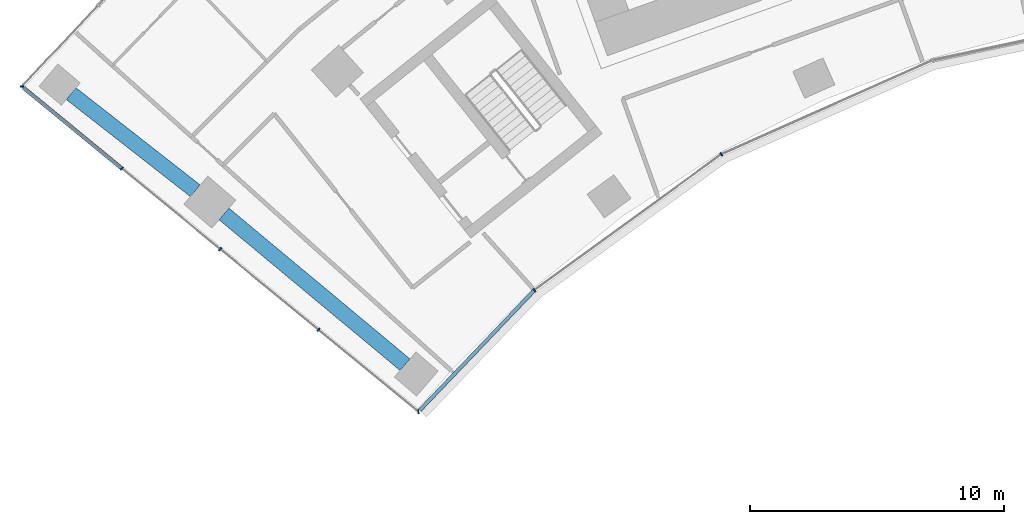
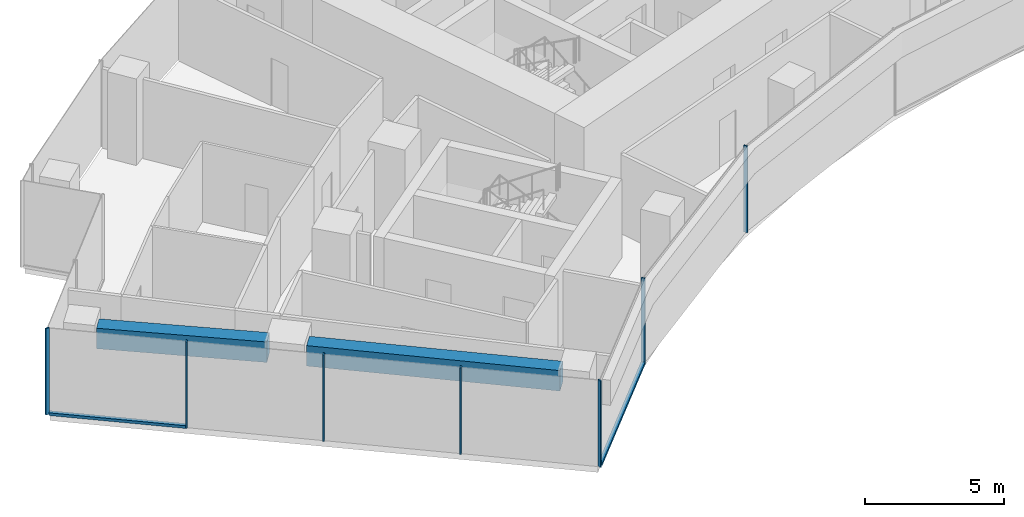
# One storey, part 2 of 20: 9 members, 2 beams, 2 elements without a shape of their own.
"""IFC4 building model written with IfcOpenShell, lengths in metres."""

import ifcopenshell
import ifcopenshell.guid

model = None  # the IFC model being written
_history = None  # IfcOwnerHistory: only IFC2X3 demands one
_inside = {}  # id of a spatial element -> (the spatial element, [elements in it])
_under = {}  # id of a project, library or spatial element -> (it, [spatial elements below it])
_declared = {}  # id of a project -> (the project, [libraries it declares])
_typed = {}  # id of a type object -> (the type object, [elements of that type])
_made_of = {}  # id of a material, layer set ... -> (it, [elements and type objects made of it])


def new_model(schema):
    """Start an empty IFC model of exactly this schema.

    Asked for "IFC4X3", IfcOpenShell would pick the latest addendum, in which some entities
    have other attributes; the version numbers below select the first issue.
    IFC2X3 requires an IfcOwnerHistory on every rooted entity: one is made here for all.
    """
    global model, _history
    if schema == "IFC4X3":
        model = ifcopenshell.file(schema_version=(4, 3, 0, 0))
    else:
        model = ifcopenshell.file(schema=schema)
    _inside.clear()
    _under.clear()
    _declared.clear()
    _typed.clear()
    _made_of.clear()
    _history = None
    if model.schema == "IFC2X3":
        org = make("IfcOrganization", Name="unknown")
        user = make(
            "IfcPersonAndOrganization",
            ThePerson=make("IfcPerson", FamilyName="unknown"),
            TheOrganization=org,
        )
        app = make(
            "IfcApplication",
            ApplicationDeveloper=org,
            Version="unknown",
            ApplicationFullName="unknown",
            ApplicationIdentifier="unknown",
        )
        _history = make(
            "IfcOwnerHistory",
            OwningUser=user,
            OwningApplication=app,
            ChangeAction="ADDED",
            CreationDate=0,
        )
    return model


def make(cls, **values):
    """One entity of the class cls with the attributes given. An attribute that is None is left unset."""
    return model.create_entity(
        cls, **{name: value for name, value in values.items() if value is not None}
    )


def rooted(cls, **values):
    """An entity with a GlobalId (a new one), such as an element, a storey or a relation."""
    return make(cls, GlobalId=ifcopenshell.guid.new(), OwnerHistory=_history, **values)


def si_unit(unit_type, name, prefix=None):
    """IfcSIUnit, for example si_unit("LENGTHUNIT", "METRE", prefix="MILLI")."""
    return make("IfcSIUnit", UnitType=unit_type, Prefix=prefix, Name=name)


def assignment(units):
    """IfcUnitAssignment: the units of a project."""
    return None if units is None else make("IfcUnitAssignment", Units=units)


def point(xyz):
    """IfcCartesianPoint."""
    return None if xyz is None else make("IfcCartesianPoint", Coordinates=xyz)


def direction(xyz):
    """IfcDirection."""
    return None if xyz is None else make("IfcDirection", DirectionRatios=xyz)


def frame(location, z_axis=None, x_axis=None):
    """IfcAxis2Placement3D, a coordinate frame: its origin and axes. An axis left out is left unset."""
    return make(
        "IfcAxis2Placement3D",
        Location=point(location),
        Axis=direction(z_axis),
        RefDirection=direction(x_axis),
    )


def frame_2d(location, x_axis=None):
    """IfcAxis2Placement2D, a coordinate frame in the plane: its origin and x axis."""
    return make(
        "IfcAxis2Placement2D", Location=point(location), RefDirection=direction(x_axis)
    )


def origin():
    """The frame at (0, 0, 0) with its axes left unset."""
    return frame((0.0, 0.0, 0.0))


def origin_2d():
    """The frame at (0, 0) in the plane with its x axis left unset."""
    return frame_2d((0.0, 0.0))


def place(relative_to, where):
    """IfcLocalPlacement: puts the frame where relative to a parent placement (None: the world)."""
    return make(
        "IfcLocalPlacement", PlacementRelTo=relative_to, RelativePlacement=where
    )


def context(
    kind, dimensions, precision=None, world=None, true_north=None, identifier=None
):
    """IfcGeometricRepresentationContext, for example the 3D "Model" context."""
    return make(
        "IfcGeometricRepresentationContext",
        ContextIdentifier=identifier,
        ContextType=kind,
        CoordinateSpaceDimension=dimensions,
        Precision=precision,
        WorldCoordinateSystem=world,
        TrueNorth=true_north,
    )


def subcontext(parent, identifier, kind, view, scale=None):
    """IfcGeometricRepresentationSubContext, for example "Body" below "Model"."""
    return make(
        "IfcGeometricRepresentationSubContext",
        ContextIdentifier=identifier,
        ContextType=kind,
        ParentContext=parent,
        TargetScale=scale,
        TargetView=view,
    )


def project(units=None, contexts=None):
    """IfcProject with its units and contexts."""
    return rooted(
        "IfcProject",
        Name="project",
        RepresentationContexts=contexts,
        UnitsInContext=assignment(units),
    )


def spatial(cls, under=None, at=None, **own):
    """A site, building, storey or space (cls), placed at a placement, below another one or the project."""
    s = rooted(cls, ObjectPlacement=at, **own)
    if under is not None:
        _under.setdefault(under.id(), (under, []))[1].append(s)
    return s


def profile(cls, at=None, kind="AREA", **sizes):
    """A parametric profile (cls). Its sizes go by their IFC names, for example OverallWidth=200.0."""
    return make(cls, ProfileType=kind, Position=at, **sizes)


def rectangle(**sizes):
    """IfcRectangleProfileDef."""
    return profile("IfcRectangleProfileDef", **sizes)


def extrude(swept, where, along, depth):
    """IfcExtrudedAreaSolid: the profile swept, set in the frame where, extruded along a direction by depth."""
    return make(
        "IfcExtrudedAreaSolid",
        SweptArea=swept,
        Position=where,
        ExtrudedDirection=direction(along),
        Depth=depth,
    )


def shape(context_of_items, identifier, shape_type, items):
    """IfcShapeRepresentation: the items that make up one representation, for example the "Body"."""
    return make(
        "IfcShapeRepresentation",
        ContextOfItems=context_of_items,
        RepresentationIdentifier=identifier,
        RepresentationType=shape_type,
        Items=items,
    )


def material(Name=None, Category=None):
    """IfcMaterial."""
    return make("IfcMaterial", Name=Name, Category=Category)


def layer(
    of_material, thickness, ventilated=None, Name=None, Category=None, Priority=None
):
    """IfcMaterialLayer: one layer of a wall or slab, of a material (None: an air gap)."""
    return make(
        "IfcMaterialLayer",
        Material=of_material,
        LayerThickness=thickness,
        IsVentilated=ventilated,
        Name=Name,
        Category=Category,
        Priority=Priority,
    )


def layer_set(layers, Name=None):
    """IfcMaterialLayerSet."""
    return make("IfcMaterialLayerSet", MaterialLayers=layers, LayerSetName=Name)


def material_profile(
    of_material, cross_section, Name=None, Category=None, Priority=None
):
    """IfcMaterialProfile: a cross section and its material."""
    return make(
        "IfcMaterialProfile",
        Name=Name,
        Material=of_material,
        Profile=cross_section,
        Priority=Priority,
        Category=Category,
    )


def profile_set(profiles, Name=None, composite=None):
    """IfcMaterialProfileSet."""
    return make(
        "IfcMaterialProfileSet",
        Name=Name,
        MaterialProfiles=profiles,
        CompositeProfile=composite,
    )


def made_of(thing, what):
    """Note that an element or type object is made of a material, layer set ...; save() writes the relation."""
    if what is not None:
        _made_of.setdefault(what.id(), (what, []))[1].append(thing)
    return thing


def type_object(cls, material=None, **own):
    """A type object (cls), such as IfcWallType, which elements share."""
    return made_of(rooted(cls, **own), material)


def element(
    cls,
    number,
    at=None,
    inside=None,
    cuts=None,
    type_object=None,
    material=None,
    context=None,
    identifier="Body",
    shape_type=None,
    held_by="IfcProductDefinitionShape",
    body=None,
    shapes=None,
    **own,
):
    """One element of the class cls, such as IfcWall. Its Tag is "e" and its number.

    at: its placement. inside: the storey or other place that contains it. cuts: it is an
    opening in that element (IfcRelVoidsElement). A single representation is given by context,
    identifier, shape_type and body (its items); several are given by shapes. held_by: the class
    of the entity that holds the representations. save() writes the other relations.
    """
    e = rooted(cls, Tag="e%d" % number, ObjectPlacement=at, **own)
    if body is not None:
        shapes = [shape(context, identifier, shape_type, body)]
    if shapes is not None:
        e.Representation = make(held_by, Representations=shapes)
    if inside is not None:
        _inside.setdefault(inside.id(), (inside, []))[1].append(e)
    if cuts is not None:
        rooted(
            "IfcRelVoidsElement", RelatingBuildingElement=cuts, RelatedOpeningElement=e
        )
    if type_object is not None:
        _typed.setdefault(type_object.id(), (type_object, []))[1].append(e)
    return made_of(e, material)


def aggregate(whole, parts):
    """IfcRelAggregates: a whole, such as a stair, and the parts it consists of."""
    return rooted("IfcRelAggregates", RelatingObject=whole, RelatedObjects=parts)


def save(model, path):
    """Write the relations noted so far, then the file.

    IfcRelAggregates (storeys below a building ...), IfcRelContainedInSpatialStructure (elements
    in a storey), IfcRelDefinesByType, IfcRelAssociatesMaterial and IfcRelDeclares: one each for
    every whole, place, type object, material and project.
    """
    for whole, parts in _under.values():
        aggregate(whole, parts)
    for where, things in _inside.values():
        rooted(
            "IfcRelContainedInSpatialStructure",
            RelatedElements=things,
            RelatingStructure=where,
        )
    for kind, things in _typed.values():
        rooted("IfcRelDefinesByType", RelatedObjects=things, RelatingType=kind)
    for what, things in _made_of.values():
        rooted("IfcRelAssociatesMaterial", RelatedObjects=things, RelatingMaterial=what)
    for by, libraries in _declared.values():
        rooted("IfcRelDeclares", RelatingContext=by, RelatedDefinitions=libraries)
    model.write(path)


model = new_model("IFC4")

# Units and contexts
model_context = context("Model", 3, precision=1e-05, world=origin(), true_north=direction((0.0, 1.0)))
body_context = subcontext(model_context, "Body", "Model", "MODEL_VIEW")
ifc_project = project(units=[si_unit("LENGTHUNIT", "METRE"), si_unit("AREAUNIT", "SQUARE_METRE"), si_unit("VOLUMEUNIT", "CUBIC_METRE"), si_unit("PLANEANGLEUNIT", "RADIAN"), si_unit("MASSUNIT", "GRAM", prefix="KILO")], contexts=[model_context])

# Site, building, storey
site_placement = place(None, origin())
site = spatial("IfcSite", under=ifc_project, at=site_placement, CompositionType="ELEMENT")
building_placement = place(site_placement, origin())
building = spatial("IfcBuilding", under=site, at=building_placement, Name="Stone Belt Terrace Tower", CompositionType="ELEMENT")
storey_placement = place(building_placement, frame((0.0, 0.0, 106.0)))
storey = spatial("IfcBuildingStorey", under=building, at=storey_placement, Name="L25", CompositionType="ELEMENT", Elevation=106.0)

# Curtain wall, members
ifc_material_1 = material(Name="Aluminium 6063-T6 anodised frame", Category="aluminium")
ifc_layer_1 = layer(ifc_material_1, 0.14990234375)
ifc_layer_set_1 = layer_set([ifc_layer_1], Name="CW-B unitised concave-face curtain wall")
curtain_wall_type_1 = type_object("IfcCurtainWallType", Name="CW-B unitised concave-face curtain wall", PredefinedType="NOTDEFINED", material=ifc_layer_set_1)
curtain_wall_1_placement = place(storey_placement, origin())
curtain_wall_1 = element("IfcCurtainWall", 1, at=curtain_wall_1_placement, inside=storey, type_object=curtain_wall_type_1, Name="CW-B concave face L25", PredefinedType="NOTDEFINED")
ifc_material_profile_1 = material_profile(ifc_material_1, rectangle(XDim=0.14990234375, YDim=0.050048828125, at=origin_2d()), Name="Aluminium 6063-T6 50x150")
ifc_profile_set_1 = profile_set([ifc_material_profile_1], Name="Aluminium 6063-T6 anodised frame")
member_type_1 = type_object("IfcMemberType", Name="CW-B mullion 50 x 150", PredefinedType="MULLION", material=ifc_profile_set_1)
member_1_placement = place(storey_placement, frame((-33.62158203125, 27.491943359375, 0.0), z_axis=(0.0, 0.0, 1.0), x_axis=(-0.060551617529, 0.998165067318, 0.0)))
member_1 = element("IfcMember", 2, at=member_1_placement, type_object=member_type_1, Name="CW-B mullion 1", PredefinedType="MULLION", context=body_context, shape_type="SweptSolid", body=[
    extrude(rectangle(XDim=0.14990234375, YDim=0.050048828125, at=origin_2d()), origin(), (0.0, 0.0, 1.0), 3.800048828125),
])
member_2_placement = place(storey_placement, frame((-29.0576171875, 32.27001953125, 0.0), z_axis=(0.0, 0.0, 1.0), x_axis=(-0.658126677279, 0.752907216497, 0.0)))
member_2 = element("IfcMember", 3, at=member_2_placement, type_object=member_type_1, Name="CW-B mullion 2", PredefinedType="MULLION", context=body_context, shape_type="SweptSolid", body=[
    extrude(rectangle(XDim=0.14990234375, YDim=0.050048828125, at=origin_2d()), origin(), (0.0, 0.0, 1.0), 3.800048828125),
])
member_3_placement = place(storey_placement, frame((-21.71240234375, 37.606689453125, 0.0), z_axis=(0.0, 0.0, 1.0), x_axis=(-0.5, 0.866025403784, 0.0)))
member_3 = element("IfcMember", 4, at=member_3_placement, type_object=member_type_1, Name="CW-B mullion 3", PredefinedType="MULLION", context=body_context, shape_type="SweptSolid", body=[
    extrude(rectangle(XDim=0.14990234375, YDim=0.050048828125, at=origin_2d()), origin(), (0.0, 0.0, 1.0), 3.800048828125),
])
ifc_material_profile_2 = material_profile(ifc_material_1, rectangle(XDim=0.14990234375, YDim=0.1201171875, at=origin_2d()), Name="Aluminium 6063-T6 150x120")
ifc_profile_set_2 = profile_set([ifc_material_profile_2], Name="Aluminium 6063-T6 anodised frame")
member_type_2 = type_object("IfcMemberType", Name="CW-B transom 120 x 150", PredefinedType="USERDEFINED", material=ifc_profile_set_2)
member_4_placement = place(storey_placement, frame((-33.57373046875, 27.5419921875, 0.06005859375), z_axis=(0.690692568637, 0.72314851561, 0.0), x_axis=(-0.72314851561, 0.690692568637, 0.0)))
member_4 = element("IfcMember", 5, at=member_4_placement, type_object=member_type_2, Name="CW-B transom 1.1", ObjectType="TRANSOM", PredefinedType="USERDEFINED", context=body_context, shape_type="SweptSolid", body=[
    extrude(rectangle(XDim=0.14990234375, YDim=0.1201171875, at=origin_2d()), origin(), (0.0, 0.0, 1.0), 6.5068359375),
])
aggregate(curtain_wall_1, [member_1, member_2, member_3, member_4])

ifc_layer_2 = layer(ifc_material_1, 0.14990234375)
ifc_layer_set_2 = layer_set([ifc_layer_2], Name="CW-C stick curtain wall, horn ends and notches")
curtain_wall_type_2 = type_object("IfcCurtainWallType", Name="CW-C stick curtain wall, horn ends and notches", PredefinedType="NOTDEFINED", material=ifc_layer_set_2)
curtain_wall_2_placement = place(storey_placement, origin())
curtain_wall_2 = element("IfcCurtainWall", 6, at=curtain_wall_2_placement, inside=storey, type_object=curtain_wall_type_2, Name="CW-C end face L25", PredefinedType="NOTDEFINED")
ifc_material_profile_3 = material_profile(ifc_material_1, rectangle(XDim=0.14990234375, YDim=0.06005859375, at=origin_2d()), Name="Aluminium 6063-T6 60x150")
ifc_profile_set_3 = profile_set([ifc_material_profile_3], Name="Aluminium 6063-T6 anodised frame")
member_type_3 = type_object("IfcMemberType", Name="CW-C mullion 60 x 150", PredefinedType="MULLION", material=ifc_profile_set_3)
member_5_placement = place(storey_placement, frame((-49.1982421875, 40.273681640625, 0.0), z_axis=(0.0, 0.0, 1.0), x_axis=(0.997926804019, 0.064359100521, 0.0)))
member_5 = element("IfcMember", 7, at=member_5_placement, type_object=member_type_3, Name="CW-C mullion 1", PredefinedType="MULLION", context=body_context, shape_type="SweptSolid", body=[
    extrude(rectangle(XDim=0.14990234375, YDim=0.06005859375, at=origin_2d()), origin(), (0.0, 0.0, 1.0), 3.800048828125),
])
member_6_placement = place(storey_placement, frame((-45.27099609375, 37.05126953125, 0.0), z_axis=(0.0, 0.0, 1.0), x_axis=(0.634344250973, 0.77305069126, 0.0)))
member_6 = element("IfcMember", 8, at=member_6_placement, type_object=member_type_3, Name="CW-C mullion 2", PredefinedType="MULLION", context=body_context, shape_type="SweptSolid", body=[
    extrude(rectangle(XDim=0.14990234375, YDim=0.06005859375, at=origin_2d()), origin(), (0.0, 0.0, 1.0), 3.800048828125),
])
member_7_placement = place(storey_placement, frame((-41.40576171875, 33.87939453125, 0.0), z_axis=(0.0, 0.0, 1.0), x_axis=(0.634344250973, 0.77305069126, 0.0)))
member_7 = element("IfcMember", 9, at=member_7_placement, type_object=member_type_3, Name="CW-C mullion 3", PredefinedType="MULLION", context=body_context, shape_type="SweptSolid", body=[
    extrude(rectangle(XDim=0.14990234375, YDim=0.06005859375, at=origin_2d()), origin(), (0.0, 0.0, 1.0), 3.800048828125),
])
member_8_placement = place(storey_placement, frame((-37.54052734375, 30.707763671875, 0.0), z_axis=(0.0, 0.0, 1.0), x_axis=(0.634344250973, 0.77305069126, 0.0)))
member_8 = element("IfcMember", 10, at=member_8_placement, type_object=member_type_3, Name="CW-C mullion 4", PredefinedType="MULLION", context=body_context, shape_type="SweptSolid", body=[
    extrude(rectangle(XDim=0.14990234375, YDim=0.06005859375, at=origin_2d()), origin(), (0.0, 0.0, 1.0), 3.800048828125),
])
ifc_material_profile_4 = material_profile(ifc_material_1, rectangle(XDim=0.14990234375, YDim=0.1201171875, at=origin_2d()), Name="Aluminium 6063-T6 150x120")
ifc_profile_set_4 = profile_set([ifc_material_profile_4], Name="Aluminium 6063-T6 anodised frame")
member_type_4 = type_object("IfcMemberType", Name="CW-C transom 120 x 150", PredefinedType="USERDEFINED", material=ifc_profile_set_4)
member_9_placement = place(storey_placement, frame((-49.14013671875, 40.22607421875, 0.06005859375), z_axis=(0.773038199103, -0.634359474374, 0.0), x_axis=(0.634359474374, 0.773038199103, 0.0)))
member_9 = element("IfcMember", 11, at=member_9_placement, type_object=member_type_4, Name="CW-C transom 1.1", ObjectType="TRANSOM", PredefinedType="USERDEFINED", context=body_context, shape_type="SweptSolid", body=[
    extrude(rectangle(XDim=0.14990234375, YDim=0.1201171875, at=origin_2d()), origin(), (0.0, 0.0, 1.0), 4.97509765625),
])
aggregate(curtain_wall_2, [member_5, member_6, member_7, member_8, member_9])

# Beams
ifc_material_2 = material(Name="Concrete B60", Category="concrete")
ifc_material_profile_5 = material_profile(ifc_material_2, rectangle(XDim=0.60009765625, YDim=0.89990234375, at=origin_2d()), Name="RC 600x900")
ifc_profile_set_5 = profile_set([ifc_material_profile_5], Name="Concrete B60")
beam_type = type_object("IfcBeamType", Name="Edge beam RC 600x900 B60", PredefinedType="SPANDREL", material=ifc_profile_set_5)
beam_1_placement = place(storey_placement, frame((-34.144287109375, 29.34228515625, 3.030029296875), z_axis=(-0.768519558675, 0.639826295126, 0.0), x_axis=(-0.639826295126, -0.768519558675, 0.0)))
element("IfcBeam", 12, at=beam_1_placement, inside=storey, type_object=beam_type, Name="Edge beam L25 A P to Q", PredefinedType="SPANDREL", context=body_context, shape_type="SweptSolid", body=[
    extrude(rectangle(XDim=0.60009765625, YDim=0.89990234375, at=origin_2d()), origin(), (0.0, 0.0, 1.0), 9.255859375),
])
beam_2_placement = place(storey_placement, frame((-42.386474609375, 36.175537109375, 3.030029296875), z_axis=(-0.787640563378, 0.616135003811, 0.0), x_axis=(-0.616135003811, -0.787640563378, 0.0)))
element("IfcBeam", 13, at=beam_2_placement, inside=storey, type_object=beam_type, Name="Edge beam L25 A Q to R", PredefinedType="SPANDREL", context=body_context, shape_type="SweptSolid", body=[
    extrude(rectangle(XDim=0.60009765625, YDim=0.89990234375, at=origin_2d()), origin(), (0.0, 0.0, 1.0), 6.193603515625),
])

save(model, "model.ifc")
